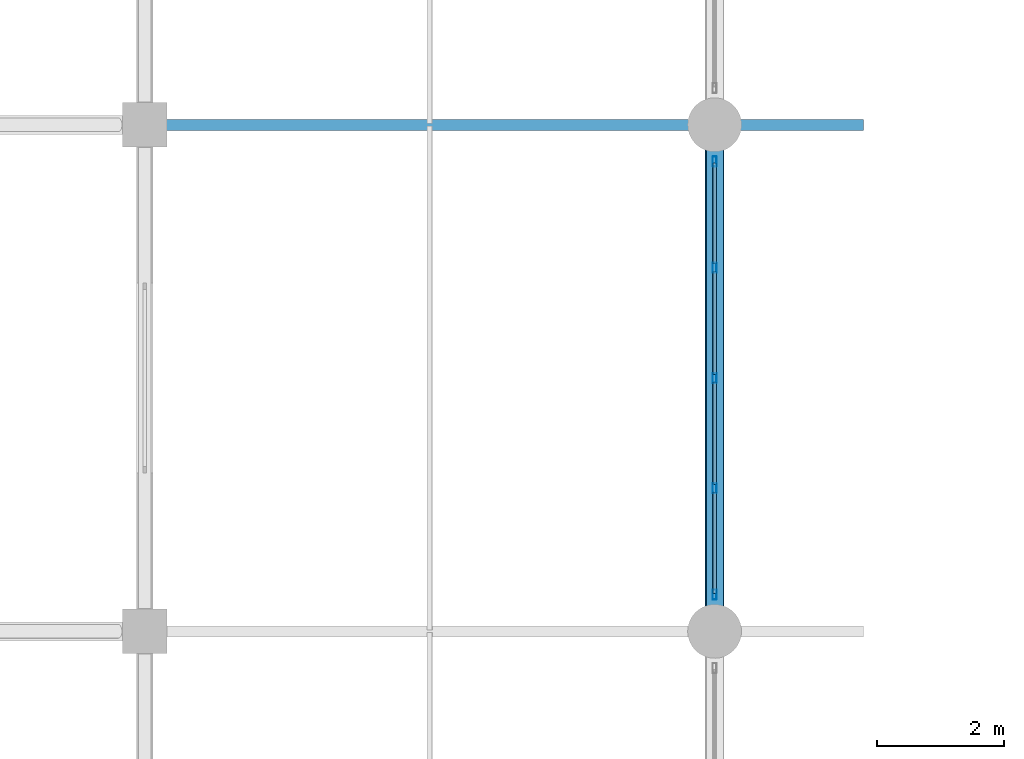
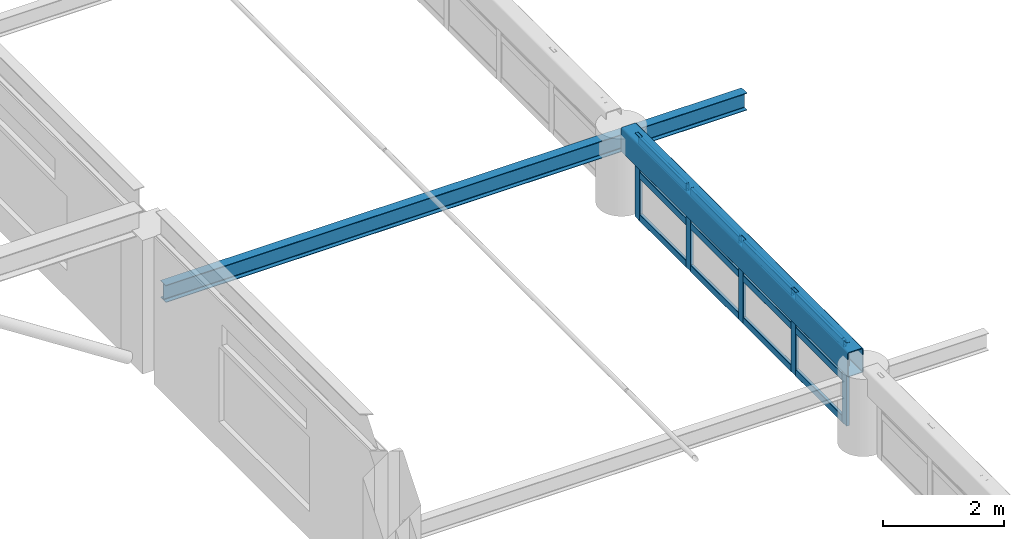
# One storey, part 57 of 128: 17 members, 2 beams, 1 element without a shape of its own.
"""IFC4 building model written with IfcOpenShell, lengths in metres."""

from ifc_helpers import new_model, si_unit, derived_unit, direction, frame, origin, origin_2d, place, context, subcontext, project, spatial, hollow_rectangle, i_section, extrude, material, material_profile, profile_set, type_object, element, aggregate, save


model = new_model("IFC4")

# Units and contexts
model_context = context("Model", 3, precision=1e-05, world=origin(), true_north=direction((0.0, 1.0)))
body_context = subcontext(model_context, "Body", "Model", "MODEL_VIEW")
ifc_project = project(units=[si_unit("LENGTHUNIT", "METRE"), si_unit("AREAUNIT", "SQUARE_METRE"), si_unit("VOLUMEUNIT", "CUBIC_METRE"), si_unit("PLANEANGLEUNIT", "RADIAN"), si_unit("MASSUNIT", "GRAM", prefix="KILO"), derived_unit("THERMALTRANSMITTANCEUNIT", [(si_unit("MASSUNIT", "GRAM", prefix="KILO"), 1), (si_unit("TIMEUNIT", "SECOND"), -3), (si_unit("THERMODYNAMICTEMPERATUREUNIT", "KELVIN"), -1)])], contexts=[model_context])

# Site, building, storey
site_placement = place(None, origin())
site = spatial("IfcSite", under=ifc_project, at=site_placement, CompositionType="ELEMENT")
building_placement = place(site_placement, origin())
building = spatial("IfcBuilding", under=site, at=building_placement, Name="Zhenchuan Archway Interchange", CompositionType="ELEMENT")
storey_placement = place(building_placement, frame((0.0, 0.0, 14.39990234375)))
storey = spatial("IfcBuildingStorey", under=building, at=storey_placement, Name="L03", CompositionType="ELEMENT", Elevation=14.39990234375)

# Beams
ifc_material_1 = material(Name="Steel Q390", Category="steel")
ifc_material_profile_1 = material_profile(ifc_material_1, hollow_rectangle(XDim=0.300048828125, YDim=0.5, WallThickness=0.01611328125, InnerFilletRadius=0.01611328125, OuterFilletRadius=0.031982421875, at=origin_2d()), Name="RHS 500x300x16")
ifc_profile_set_1 = profile_set([ifc_material_profile_1], Name="Steel Q390")
beam_type_1 = type_object("IfcBeamType", Name="BM_RING_RHS500", PredefinedType="BEAM", material=ifc_profile_set_1)
beam_1_placement = place(storey_placement, frame((72.0, 64.25, 1.4501953125), z_axis=(0.0, 1.0, 0.0), x_axis=(-1.0, 0.0, 0.0)))
element("IfcBeam", 1, at=beam_1_placement, inside=storey, type_object=beam_type_1, Name="CONCOURSE CABLE-NET RING BEAM E-6", PredefinedType="BEAM", context=body_context, shape_type="SweptSolid", body=[
    extrude(hollow_rectangle(XDim=0.300048828125, YDim=0.5, WallThickness=0.01611328125, InnerFilletRadius=0.01611328125, OuterFilletRadius=0.031982421875, at=origin_2d()), origin(), (0.0, 0.0, 1.0), 7.5),
])
ifc_material_2 = material(Name="Steel Q355", Category="steel")
ifc_material_profile_2 = material_profile(ifc_material_2, i_section(OverallWidth=0.175048828125, OverallDepth=0.35009765625, WebThickness=0.007080078125, FlangeThickness=0.010986328125, FilletRadius=0.013916015625, at=origin_2d()), Name="HN 350x175")
ifc_profile_set_2 = profile_set([ifc_material_profile_2], Name="Steel Q355")
beam_type_2 = type_object("IfcBeamType", Name="BM_STL_EAVE_HN350", PredefinedType="BEAM", material=ifc_profile_set_2)
beam_2_placement = place(storey_placement, frame((63.25, 72.0, 1.25), z_axis=(1.0, 0.0, 0.0), x_axis=(0.0, 1.0, 0.0)))
element("IfcBeam", 2, at=beam_2_placement, inside=storey, type_object=beam_type_2, Name="Concourse east storm-eave continuous rafter 7", PredefinedType="BEAM", context=body_context, shape_type="SweptSolid", body=[
    extrude(i_section(OverallWidth=0.175048828125, OverallDepth=0.35009765625, WebThickness=0.007080078125, FlangeThickness=0.010986328125, FilletRadius=0.013916015625, at=origin_2d()), origin(), (0.0, 0.0, 1.0), 11.10009765625),
])

# Curtain wall, members
ifc_material_3 = material(Name="Anodised Aluminium", Category="aluminium")
curtain_wall_type = type_object("IfcCurtainWallType", Name="CW_UNIT_3", PredefinedType="NOTDEFINED", material=ifc_material_3)
curtain_wall_placement = place(storey_placement, origin())
curtain_wall = element("IfcCurtainWall", 3, at=curtain_wall_placement, inside=storey, type_object=curtain_wall_type, Name="Unitised curtain wall CW:L03:RING-E6", PredefinedType="NOTDEFINED")
ifc_material_profile_3 = material_profile(ifc_material_3, hollow_rectangle(XDim=0.06005859375, YDim=0.159912109375, WallThickness=0.00390625, InnerFilletRadius=0.00390625, OuterFilletRadius=0.008056640625, at=origin_2d()), Name="ALU 160x60x4")
ifc_profile_set_3 = profile_set([ifc_material_profile_3], Name="Anodised Aluminium")
member_type_1 = type_object("IfcMemberType", Name="CW_MUL_150", PredefinedType="MULLION", material=ifc_profile_set_3)
member_1_placement = place(storey_placement, frame((72.0, 64.580078125, 0.02001953125), z_axis=(0.0, 0.0, 1.0), x_axis=(1.0, 0.0, 0.0)))
member_1 = element("IfcMember", 4, at=member_1_placement, type_object=member_type_1, Name="CW:L03:RING-E6 mullion 0", PredefinedType="MULLION", context=body_context, shape_type="SweptSolid", body=[
    extrude(hollow_rectangle(XDim=0.06005859375, YDim=0.159912109375, WallThickness=0.00390625, InnerFilletRadius=0.00390625, OuterFilletRadius=0.008056640625, at=origin_2d()), origin(), (0.0, 0.0, 1.0), 1.68017578125),
])
member_2_placement = place(storey_placement, frame((72.0, 66.260009765625, 0.02001953125), z_axis=(0.0, 0.0, 1.0), x_axis=(1.0, 0.0, 0.0)))
member_2 = element("IfcMember", 5, at=member_2_placement, type_object=member_type_1, Name="CW:L03:RING-E6 mullion 1", PredefinedType="MULLION", context=body_context, shape_type="SweptSolid", body=[
    extrude(hollow_rectangle(XDim=0.06005859375, YDim=0.159912109375, WallThickness=0.00390625, InnerFilletRadius=0.00390625, OuterFilletRadius=0.008056640625, at=origin_2d()), origin(), (0.0, 0.0, 1.0), 1.68017578125),
])
member_3_placement = place(storey_placement, frame((72.0, 68.0, 0.02001953125), z_axis=(0.0, 0.0, 1.0), x_axis=(1.0, 0.0, 0.0)))
member_3 = element("IfcMember", 6, at=member_3_placement, type_object=member_type_1, Name="CW:L03:RING-E6 mullion 2", PredefinedType="MULLION", context=body_context, shape_type="SweptSolid", body=[
    extrude(hollow_rectangle(XDim=0.06005859375, YDim=0.159912109375, WallThickness=0.00390625, InnerFilletRadius=0.00390625, OuterFilletRadius=0.008056640625, at=origin_2d()), origin(), (0.0, 0.0, 1.0), 1.68017578125),
])
member_4_placement = place(storey_placement, frame((72.0, 69.739990234375, 0.02001953125), z_axis=(0.0, 0.0, 1.0), x_axis=(1.0, 0.0, 0.0)))
member_4 = element("IfcMember", 7, at=member_4_placement, type_object=member_type_1, Name="CW:L03:RING-E6 mullion 3", PredefinedType="MULLION", context=body_context, shape_type="SweptSolid", body=[
    extrude(hollow_rectangle(XDim=0.06005859375, YDim=0.159912109375, WallThickness=0.00390625, InnerFilletRadius=0.00390625, OuterFilletRadius=0.008056640625, at=origin_2d()), origin(), (0.0, 0.0, 1.0), 1.68017578125),
])
member_5_placement = place(storey_placement, frame((72.0, 71.419921875, 0.02001953125), z_axis=(0.0, 0.0, 1.0), x_axis=(1.0, 0.0, 0.0)))
member_5 = element("IfcMember", 8, at=member_5_placement, type_object=member_type_1, Name="CW:L03:RING-E6 mullion 4", PredefinedType="MULLION", context=body_context, shape_type="SweptSolid", body=[
    extrude(hollow_rectangle(XDim=0.06005859375, YDim=0.159912109375, WallThickness=0.00390625, InnerFilletRadius=0.00390625, OuterFilletRadius=0.008056640625, at=origin_2d()), origin(), (0.0, 0.0, 1.0), 1.68017578125),
])
ifc_material_profile_4 = material_profile(ifc_material_3, hollow_rectangle(XDim=0.06005859375, YDim=0.139892578125, WallThickness=0.00341796875, InnerFilletRadius=0.00341796875, OuterFilletRadius=0.007080078125, at=origin_2d()), Name="ALU 140x60x3.5")
ifc_profile_set_4 = profile_set([ifc_material_profile_4], Name="Anodised Aluminium")
member_type_2 = type_object("IfcMemberType", Name="CW_TRN_140", PredefinedType="USERDEFINED", material=ifc_profile_set_4)
member_6_placement = place(storey_placement, frame((72.0, 64.60009765625, 0.080078125), z_axis=(0.0, 1.0, 0.0), x_axis=(-1.0, 0.0, 0.0)))
member_6 = element("IfcMember", 9, at=member_6_placement, type_object=member_type_2, Name="CW:L03:RING-E6 transom 0-1", ObjectType="TRANSOM", PredefinedType="USERDEFINED", context=body_context, shape_type="SweptSolid", body=[
    extrude(hollow_rectangle(XDim=0.06005859375, YDim=0.139892578125, WallThickness=0.00341796875, InnerFilletRadius=0.00341796875, OuterFilletRadius=0.007080078125, at=origin_2d()), origin(), (0.0, 0.0, 1.0), 1.599853515625),
])
member_7_placement = place(storey_placement, frame((72.0, 64.60009765625, 0.93310546875), z_axis=(0.0, 1.0, 0.0), x_axis=(-1.0, 0.0, 0.0)))
member_7 = element("IfcMember", 10, at=member_7_placement, type_object=member_type_2, Name="CW:L03:RING-E6 transom 0-2", ObjectType="TRANSOM", PredefinedType="USERDEFINED", context=body_context, shape_type="SweptSolid", body=[
    extrude(hollow_rectangle(XDim=0.06005859375, YDim=0.139892578125, WallThickness=0.00341796875, InnerFilletRadius=0.00341796875, OuterFilletRadius=0.007080078125, at=origin_2d()), origin(), (0.0, 0.0, 1.0), 1.599853515625),
])
member_8_placement = place(storey_placement, frame((72.0, 64.60009765625, 1.6201171875), z_axis=(0.0, 1.0, 0.0), x_axis=(-1.0, 0.0, 0.0)))
member_8 = element("IfcMember", 11, at=member_8_placement, type_object=member_type_2, Name="CW:L03:RING-E6 transom 0-3", ObjectType="TRANSOM", PredefinedType="USERDEFINED", context=body_context, shape_type="SweptSolid", body=[
    extrude(hollow_rectangle(XDim=0.06005859375, YDim=0.139892578125, WallThickness=0.00341796875, InnerFilletRadius=0.00341796875, OuterFilletRadius=0.007080078125, at=origin_2d()), origin(), (0.0, 0.0, 1.0), 1.599853515625),
])
member_9_placement = place(storey_placement, frame((72.0, 66.320068359375, 0.080078125), z_axis=(0.0, 1.0, 0.0), x_axis=(-1.0, 0.0, 0.0)))
member_9 = element("IfcMember", 12, at=member_9_placement, type_object=member_type_2, Name="CW:L03:RING-E6 transom 1-1", ObjectType="TRANSOM", PredefinedType="USERDEFINED", context=body_context, shape_type="SweptSolid", body=[
    extrude(hollow_rectangle(XDim=0.06005859375, YDim=0.139892578125, WallThickness=0.00341796875, InnerFilletRadius=0.00341796875, OuterFilletRadius=0.007080078125, at=origin_2d()), origin(), (0.0, 0.0, 1.0), 1.619873046875),
])
member_10_placement = place(storey_placement, frame((72.0, 66.320068359375, 0.93310546875), z_axis=(0.0, 1.0, 0.0), x_axis=(-1.0, 0.0, 0.0)))
member_10 = element("IfcMember", 13, at=member_10_placement, type_object=member_type_2, Name="CW:L03:RING-E6 transom 1-2", ObjectType="TRANSOM", PredefinedType="USERDEFINED", context=body_context, shape_type="SweptSolid", body=[
    extrude(hollow_rectangle(XDim=0.06005859375, YDim=0.139892578125, WallThickness=0.00341796875, InnerFilletRadius=0.00341796875, OuterFilletRadius=0.007080078125, at=origin_2d()), origin(), (0.0, 0.0, 1.0), 1.619873046875),
])
member_11_placement = place(storey_placement, frame((72.0, 66.320068359375, 1.6201171875), z_axis=(0.0, 1.0, 0.0), x_axis=(-1.0, 0.0, 0.0)))
member_11 = element("IfcMember", 14, at=member_11_placement, type_object=member_type_2, Name="CW:L03:RING-E6 transom 1-3", ObjectType="TRANSOM", PredefinedType="USERDEFINED", context=body_context, shape_type="SweptSolid", body=[
    extrude(hollow_rectangle(XDim=0.06005859375, YDim=0.139892578125, WallThickness=0.00341796875, InnerFilletRadius=0.00341796875, OuterFilletRadius=0.007080078125, at=origin_2d()), origin(), (0.0, 0.0, 1.0), 1.619873046875),
])
member_12_placement = place(storey_placement, frame((72.0, 68.06005859375, 0.080078125), z_axis=(0.0, 1.0, 0.0), x_axis=(-1.0, 0.0, 0.0)))
member_12 = element("IfcMember", 15, at=member_12_placement, type_object=member_type_2, Name="CW:L03:RING-E6 transom 2-1", ObjectType="TRANSOM", PredefinedType="USERDEFINED", context=body_context, shape_type="SweptSolid", body=[
    extrude(hollow_rectangle(XDim=0.06005859375, YDim=0.139892578125, WallThickness=0.00341796875, InnerFilletRadius=0.00341796875, OuterFilletRadius=0.007080078125, at=origin_2d()), origin(), (0.0, 0.0, 1.0), 1.619873046875),
])
member_13_placement = place(storey_placement, frame((72.0, 68.06005859375, 0.93310546875), z_axis=(0.0, 1.0, 0.0), x_axis=(-1.0, 0.0, 0.0)))
member_13 = element("IfcMember", 16, at=member_13_placement, type_object=member_type_2, Name="CW:L03:RING-E6 transom 2-2", ObjectType="TRANSOM", PredefinedType="USERDEFINED", context=body_context, shape_type="SweptSolid", body=[
    extrude(hollow_rectangle(XDim=0.06005859375, YDim=0.139892578125, WallThickness=0.00341796875, InnerFilletRadius=0.00341796875, OuterFilletRadius=0.007080078125, at=origin_2d()), origin(), (0.0, 0.0, 1.0), 1.619873046875),
])
member_14_placement = place(storey_placement, frame((72.0, 68.06005859375, 1.6201171875), z_axis=(0.0, 1.0, 0.0), x_axis=(-1.0, 0.0, 0.0)))
member_14 = element("IfcMember", 17, at=member_14_placement, type_object=member_type_2, Name="CW:L03:RING-E6 transom 2-3", ObjectType="TRANSOM", PredefinedType="USERDEFINED", context=body_context, shape_type="SweptSolid", body=[
    extrude(hollow_rectangle(XDim=0.06005859375, YDim=0.139892578125, WallThickness=0.00341796875, InnerFilletRadius=0.00341796875, OuterFilletRadius=0.007080078125, at=origin_2d()), origin(), (0.0, 0.0, 1.0), 1.619873046875),
])
member_15_placement = place(storey_placement, frame((72.0, 69.800048828125, 0.080078125), z_axis=(0.0, 1.0, 0.0), x_axis=(-1.0, 0.0, 0.0)))
member_15 = element("IfcMember", 18, at=member_15_placement, type_object=member_type_2, Name="CW:L03:RING-E6 transom 3-1", ObjectType="TRANSOM", PredefinedType="USERDEFINED", context=body_context, shape_type="SweptSolid", body=[
    extrude(hollow_rectangle(XDim=0.06005859375, YDim=0.139892578125, WallThickness=0.00341796875, InnerFilletRadius=0.00341796875, OuterFilletRadius=0.007080078125, at=origin_2d()), origin(), (0.0, 0.0, 1.0), 1.599853515625),
])
member_16_placement = place(storey_placement, frame((72.0, 69.800048828125, 0.93310546875), z_axis=(0.0, 1.0, 0.0), x_axis=(-1.0, 0.0, 0.0)))
member_16 = element("IfcMember", 19, at=member_16_placement, type_object=member_type_2, Name="CW:L03:RING-E6 transom 3-2", ObjectType="TRANSOM", PredefinedType="USERDEFINED", context=body_context, shape_type="SweptSolid", body=[
    extrude(hollow_rectangle(XDim=0.06005859375, YDim=0.139892578125, WallThickness=0.00341796875, InnerFilletRadius=0.00341796875, OuterFilletRadius=0.007080078125, at=origin_2d()), origin(), (0.0, 0.0, 1.0), 1.599853515625),
])
member_17_placement = place(storey_placement, frame((72.0, 69.800048828125, 1.6201171875), z_axis=(0.0, 1.0, 0.0), x_axis=(-1.0, 0.0, 0.0)))
member_17 = element("IfcMember", 20, at=member_17_placement, type_object=member_type_2, Name="CW:L03:RING-E6 transom 3-3", ObjectType="TRANSOM", PredefinedType="USERDEFINED", context=body_context, shape_type="SweptSolid", body=[
    extrude(hollow_rectangle(XDim=0.06005859375, YDim=0.139892578125, WallThickness=0.00341796875, InnerFilletRadius=0.00341796875, OuterFilletRadius=0.007080078125, at=origin_2d()), origin(), (0.0, 0.0, 1.0), 1.599853515625),
])
aggregate(curtain_wall, [member_1, member_2, member_3, member_4, member_5, member_6, member_7, member_8, member_9, member_10, member_11, member_12, member_13, member_14, member_15, member_16, member_17])

save(model, "model.ifc")
